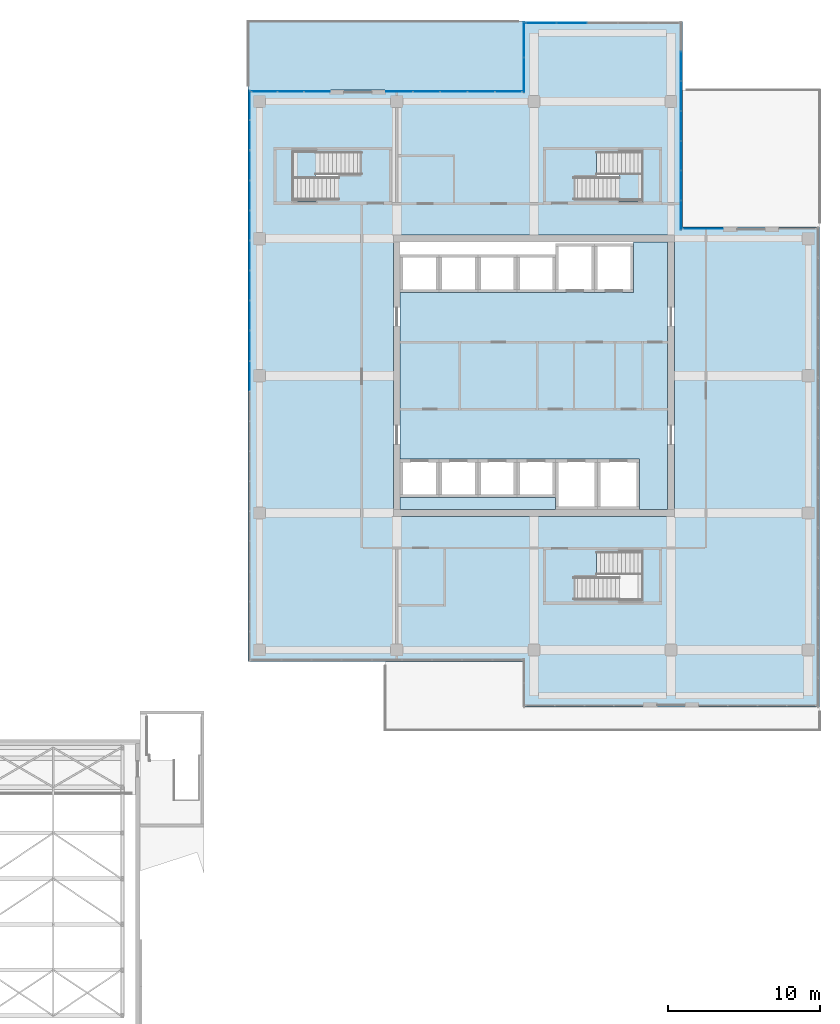
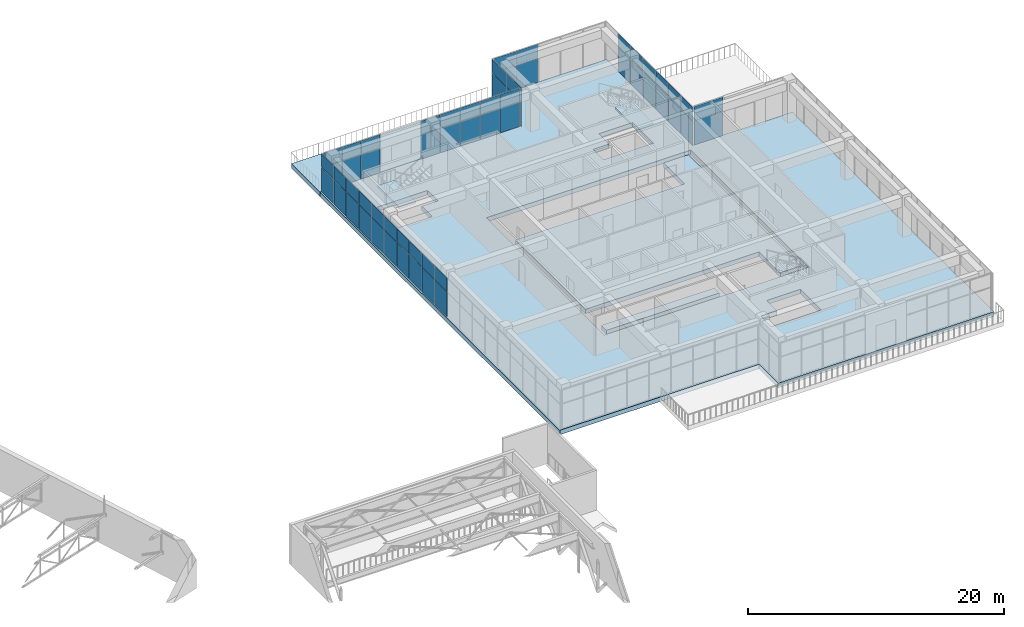
# One storey, part 64 of 81: 58 plates, 6 slabs, 9 elements without a shape of their own.
"""IFC4 building model written with IfcOpenShell, lengths in metres."""

from ifc_helpers import new_model, si_unit, direction, frame, origin, origin_2d, place, context, subcontext, project, spatial, polyline, rectangle, outline, extrude, material, layer, layer_set, type_object, element, aggregate, save


model = new_model("IFC4")

# Units and contexts
model_context = context("Model", 3, precision=1e-05, world=origin(), true_north=direction((0.0, 1.0)))
body_context = subcontext(model_context, "Body", "Model", "MODEL_VIEW")
ifc_project = project(units=[si_unit("LENGTHUNIT", "METRE"), si_unit("AREAUNIT", "SQUARE_METRE"), si_unit("VOLUMEUNIT", "CUBIC_METRE"), si_unit("PLANEANGLEUNIT", "RADIAN"), si_unit("MASSUNIT", "GRAM", prefix="KILO")], contexts=[model_context])

# Site, building, storey
site_placement = place(None, origin())
site = spatial("IfcSite", under=ifc_project, at=site_placement, CompositionType="ELEMENT")
building_placement = place(site_placement, origin())
building = spatial("IfcBuilding", under=site, at=building_placement, Name="Tuart Plaza Theatre", CompositionType="ELEMENT")
storey_placement = place(building_placement, frame((0.0, 0.0, 17.5)))
storey = spatial("IfcBuildingStorey", under=building, at=storey_placement, Name="L04", CompositionType="ELEMENT", Elevation=17.5)

# Curtain wall, plates
ifc_material_1 = material(Name="Aluminium and glass", Category="aluminium")
ifc_layer_1 = layer(ifc_material_1, 0.10009765625)
ifc_layer_set_1 = layer_set([ifc_layer_1], Name="CURTAIN WALL 2000 module")
curtain_wall_type_1 = type_object("IfcCurtainWallType", Name="CURTAIN WALL 2000 module", PredefinedType="NOTDEFINED", material=ifc_layer_set_1)
curtain_wall_1_placement = place(storey_placement, origin())
curtain_wall_1 = element("IfcCurtainWall", 1, at=curtain_wall_1_placement, inside=storey, type_object=curtain_wall_type_1, Name="CW80", PredefinedType="NOTDEFINED")
ifc_material_2 = material(Name="Glass", Category="glass")
ifc_layer_2 = layer(ifc_material_2, 0.028076171875)
ifc_layer_set_2 = layer_set([ifc_layer_2], Name="CURTAIN PANEL double glazed 28")
plate_type = type_object("IfcPlateType", Name="CURTAIN PANEL double glazed 28", PredefinedType="CURTAIN_PANEL", material=ifc_layer_set_2)
plate_1_placement = place(storey_placement, frame((143.10009765625, 83.64990234375, 0.0498046875), z_axis=(0.0, 0.0, 1.0), x_axis=(-1.0, 0.0, 0.0)))
plate_1 = element("IfcPlate", 2, at=plate_1_placement, type_object=plate_type, Name="CW80 panel 1.1", PredefinedType="CURTAIN_PANEL", context=body_context, shape_type="SweptSolid", body=[
    extrude(rectangle(XDim=2.60009765625, YDim=0.028076171875, at=origin_2d()), origin(), (0.0, 0.0, 1.0), 2.324951171875),
])
plate_2_placement = place(storey_placement, frame((143.10009765625, 83.64990234375, 2.425048828125), z_axis=(0.0, 0.0, 1.0), x_axis=(-1.0, 0.0, 0.0)))
plate_2 = element("IfcPlate", 3, at=plate_2_placement, type_object=plate_type, Name="CW80 panel 1.2", PredefinedType="CURTAIN_PANEL", context=body_context, shape_type="SweptSolid", body=[
    extrude(rectangle(XDim=2.60009765625, YDim=0.028076171875, at=origin_2d()), origin(), (0.0, 0.0, 1.0), 1.27490234375),
])
aggregate(curtain_wall_1, [plate_1, plate_2])

curtain_wall_2_placement = place(storey_placement, origin())
curtain_wall_2 = element("IfcCurtainWall", 4, at=curtain_wall_2_placement, inside=storey, type_object=curtain_wall_type_1, Name="CW81", PredefinedType="NOTDEFINED")
plate_3_placement = place(storey_placement, frame((141.64990234375, 84.541015625, 0.0498046875), z_axis=(0.0, 0.0, 1.0), x_axis=(0.0, 1.0, 0.0)))
plate_3 = element("IfcPlate", 5, at=plate_3_placement, type_object=plate_type, Name="CW81 panel 1.1", PredefinedType="CURTAIN_PANEL", context=body_context, shape_type="SweptSolid", body=[
    extrude(rectangle(XDim=1.882080078125, YDim=0.028076171875, at=origin_2d()), origin(), (0.0, 0.0, 1.0), 2.324951171875),
])
plate_4_placement = place(storey_placement, frame((141.64990234375, 84.541015625, 2.425048828125), z_axis=(0.0, 0.0, 1.0), x_axis=(0.0, 1.0, 0.0)))
plate_4 = element("IfcPlate", 6, at=plate_4_placement, type_object=plate_type, Name="CW81 panel 1.2", PredefinedType="CURTAIN_PANEL", context=body_context, shape_type="SweptSolid", body=[
    extrude(rectangle(XDim=1.882080078125, YDim=0.028076171875, at=origin_2d()), origin(), (0.0, 0.0, 1.0), 1.27490234375),
])
plate_5_placement = place(storey_placement, frame((141.64990234375, 86.485595703125, 0.0498046875), z_axis=(0.0, 0.0, 1.0), x_axis=(0.0, 1.0, 0.0)))
plate_5 = element("IfcPlate", 7, at=plate_5_placement, type_object=plate_type, Name="CW81 panel 2.1", PredefinedType="CURTAIN_PANEL", context=body_context, shape_type="SweptSolid", body=[
    extrude(rectangle(XDim=1.9072265625, YDim=0.028076171875, at=origin_2d()), origin(), (0.0, 0.0, 1.0), 2.324951171875),
])
plate_6_placement = place(storey_placement, frame((141.64990234375, 86.485595703125, 2.425048828125), z_axis=(0.0, 0.0, 1.0), x_axis=(0.0, 1.0, 0.0)))
plate_6 = element("IfcPlate", 8, at=plate_6_placement, type_object=plate_type, Name="CW81 panel 2.2", PredefinedType="CURTAIN_PANEL", context=body_context, shape_type="SweptSolid", body=[
    extrude(rectangle(XDim=1.9072265625, YDim=0.028076171875, at=origin_2d()), origin(), (0.0, 0.0, 1.0), 1.27490234375),
])
plate_7_placement = place(storey_placement, frame((141.64990234375, 88.44287109375, 0.0498046875), z_axis=(0.0, 0.0, 1.0), x_axis=(0.0, 1.0, 0.0)))
plate_7 = element("IfcPlate", 9, at=plate_7_placement, type_object=plate_type, Name="CW81 panel 3.1", PredefinedType="CURTAIN_PANEL", context=body_context, shape_type="SweptSolid", body=[
    extrude(rectangle(XDim=1.9072265625, YDim=0.028076171875, at=origin_2d()), origin(), (0.0, 0.0, 1.0), 2.324951171875),
])
plate_8_placement = place(storey_placement, frame((141.64990234375, 88.44287109375, 2.425048828125), z_axis=(0.0, 0.0, 1.0), x_axis=(0.0, 1.0, 0.0)))
plate_8 = element("IfcPlate", 10, at=plate_8_placement, type_object=plate_type, Name="CW81 panel 3.2", PredefinedType="CURTAIN_PANEL", context=body_context, shape_type="SweptSolid", body=[
    extrude(rectangle(XDim=1.9072265625, YDim=0.028076171875, at=origin_2d()), origin(), (0.0, 0.0, 1.0), 1.27490234375),
])
plate_9_placement = place(storey_placement, frame((141.64990234375, 90.39990234375, 0.0498046875), z_axis=(0.0, 0.0, 1.0), x_axis=(0.0, 1.0, 0.0)))
plate_9 = element("IfcPlate", 11, at=plate_9_placement, type_object=plate_type, Name="CW81 panel 4.1", PredefinedType="CURTAIN_PANEL", context=body_context, shape_type="SweptSolid", body=[
    extrude(rectangle(XDim=1.9072265625, YDim=0.028076171875, at=origin_2d()), origin(), (0.0, 0.0, 1.0), 2.324951171875),
])
plate_10_placement = place(storey_placement, frame((141.64990234375, 90.39990234375, 2.425048828125), z_axis=(0.0, 0.0, 1.0), x_axis=(0.0, 1.0, 0.0)))
plate_10 = element("IfcPlate", 12, at=plate_10_placement, type_object=plate_type, Name="CW81 panel 4.2", PredefinedType="CURTAIN_PANEL", context=body_context, shape_type="SweptSolid", body=[
    extrude(rectangle(XDim=1.9072265625, YDim=0.028076171875, at=origin_2d()), origin(), (0.0, 0.0, 1.0), 1.27490234375),
])
plate_11_placement = place(storey_placement, frame((141.64990234375, 92.357177734375, 0.0498046875), z_axis=(0.0, 0.0, 1.0), x_axis=(0.0, 1.0, 0.0)))
plate_11 = element("IfcPlate", 13, at=plate_11_placement, type_object=plate_type, Name="CW81 panel 5.1", PredefinedType="CURTAIN_PANEL", context=body_context, shape_type="SweptSolid", body=[
    extrude(rectangle(XDim=1.9072265625, YDim=0.028076171875, at=origin_2d()), origin(), (0.0, 0.0, 1.0), 2.324951171875),
])
plate_12_placement = place(storey_placement, frame((141.64990234375, 92.357177734375, 2.425048828125), z_axis=(0.0, 0.0, 1.0), x_axis=(0.0, 1.0, 0.0)))
plate_12 = element("IfcPlate", 14, at=plate_12_placement, type_object=plate_type, Name="CW81 panel 5.2", PredefinedType="CURTAIN_PANEL", context=body_context, shape_type="SweptSolid", body=[
    extrude(rectangle(XDim=1.9072265625, YDim=0.028076171875, at=origin_2d()), origin(), (0.0, 0.0, 1.0), 1.27490234375),
])
plate_13_placement = place(storey_placement, frame((141.64990234375, 94.314208984375, 0.0498046875), z_axis=(0.0, 0.0, 1.0), x_axis=(0.0, 1.0, 0.0)))
plate_13 = element("IfcPlate", 15, at=plate_13_placement, type_object=plate_type, Name="CW81 panel 6.1", PredefinedType="CURTAIN_PANEL", context=body_context, shape_type="SweptSolid", body=[
    extrude(rectangle(XDim=1.9072265625, YDim=0.028076171875, at=origin_2d()), origin(), (0.0, 0.0, 1.0), 2.324951171875),
])
plate_14_placement = place(storey_placement, frame((141.64990234375, 94.314208984375, 2.425048828125), z_axis=(0.0, 0.0, 1.0), x_axis=(0.0, 1.0, 0.0)))
plate_14 = element("IfcPlate", 16, at=plate_14_placement, type_object=plate_type, Name="CW81 panel 6.2", PredefinedType="CURTAIN_PANEL", context=body_context, shape_type="SweptSolid", body=[
    extrude(rectangle(XDim=1.9072265625, YDim=0.028076171875, at=origin_2d()), origin(), (0.0, 0.0, 1.0), 1.27490234375),
])
aggregate(curtain_wall_2, [plate_3, plate_4, plate_5, plate_6, plate_7, plate_8, plate_9, plate_10, plate_11, plate_12, plate_13, plate_14])

curtain_wall_3_placement = place(storey_placement, origin())
curtain_wall_3 = element("IfcCurtainWall", 17, at=curtain_wall_3_placement, inside=storey, type_object=curtain_wall_type_1, Name="CW82", PredefinedType="NOTDEFINED")
plate_15_placement = place(storey_placement, frame((134.47998046875, 97.14990234375, 0.0498046875), z_axis=(0.0, 0.0, 1.0), x_axis=(-1.0, 0.0, 0.0)))
plate_15 = element("IfcPlate", 18, at=plate_15_placement, type_object=plate_type, Name="CW82 panel 4.1", PredefinedType="CURTAIN_PANEL", context=body_context, shape_type="SweptSolid", body=[
    extrude(rectangle(XDim=1.969970703125, YDim=0.028076171875, at=origin_2d()), origin(), (0.0, 0.0, 1.0), 2.324951171875),
])
plate_16_placement = place(storey_placement, frame((134.47998046875, 97.14990234375, 2.425048828125), z_axis=(0.0, 0.0, 1.0), x_axis=(-1.0, 0.0, 0.0)))
plate_16 = element("IfcPlate", 19, at=plate_16_placement, type_object=plate_type, Name="CW82 panel 4.2", PredefinedType="CURTAIN_PANEL", context=body_context, shape_type="SweptSolid", body=[
    extrude(rectangle(XDim=1.969970703125, YDim=0.028076171875, at=origin_2d()), origin(), (0.0, 0.0, 1.0), 1.27490234375),
])
plate_17_placement = place(storey_placement, frame((132.472412109375, 97.14990234375, 0.0498046875), z_axis=(0.0, 0.0, 1.0), x_axis=(-1.0, 0.0, 0.0)))
plate_17 = element("IfcPlate", 20, at=plate_17_placement, type_object=plate_type, Name="CW82 panel 5.1", PredefinedType="CURTAIN_PANEL", context=body_context, shape_type="SweptSolid", body=[
    extrude(rectangle(XDim=1.945068359375, YDim=0.028076171875, at=origin_2d()), origin(), (0.0, 0.0, 1.0), 2.324951171875),
])
plate_18_placement = place(storey_placement, frame((132.472412109375, 97.14990234375, 2.425048828125), z_axis=(0.0, 0.0, 1.0), x_axis=(-1.0, 0.0, 0.0)))
plate_18 = element("IfcPlate", 21, at=plate_18_placement, type_object=plate_type, Name="CW82 panel 5.2", PredefinedType="CURTAIN_PANEL", context=body_context, shape_type="SweptSolid", body=[
    extrude(rectangle(XDim=1.945068359375, YDim=0.028076171875, at=origin_2d()), origin(), (0.0, 0.0, 1.0), 1.27490234375),
])
aggregate(curtain_wall_3, [plate_15, plate_16, plate_17, plate_18])

curtain_wall_4_placement = place(storey_placement, origin())
curtain_wall_4 = element("IfcCurtainWall", 22, at=curtain_wall_4_placement, inside=storey, type_object=curtain_wall_type_1, Name="CW83", PredefinedType="NOTDEFINED")
plate_19_placement = place(storey_placement, frame((131.35009765625, 96.0625, 0.0498046875), z_axis=(0.0, 0.0, 1.0), x_axis=(0.0, -1.0, 0.0)))
plate_19 = element("IfcPlate", 23, at=plate_19_placement, type_object=plate_type, Name="CW83 panel 1.1", PredefinedType="CURTAIN_PANEL", context=body_context, shape_type="SweptSolid", body=[
    extrude(rectangle(XDim=2.27490234375, YDim=0.028076171875, at=origin_2d()), origin(), (0.0, 0.0, 1.0), 2.324951171875),
])
plate_20_placement = place(storey_placement, frame((131.35009765625, 96.0625, 2.425048828125), z_axis=(0.0, 0.0, 1.0), x_axis=(0.0, -1.0, 0.0)))
plate_20 = element("IfcPlate", 24, at=plate_20_placement, type_object=plate_type, Name="CW83 panel 1.2", PredefinedType="CURTAIN_PANEL", context=body_context, shape_type="SweptSolid", body=[
    extrude(rectangle(XDim=2.27490234375, YDim=0.028076171875, at=origin_2d()), origin(), (0.0, 0.0, 1.0), 1.27490234375),
])
plate_21_placement = place(storey_placement, frame((131.35009765625, 93.737548828125, 0.0498046875), z_axis=(0.0, 0.0, 1.0), x_axis=(0.0, -1.0, 0.0)))
plate_21 = element("IfcPlate", 25, at=plate_21_placement, type_object=plate_type, Name="CW83 panel 2.1", PredefinedType="CURTAIN_PANEL", context=body_context, shape_type="SweptSolid", body=[
    extrude(rectangle(XDim=2.27490234375, YDim=0.028076171875, at=origin_2d()), origin(), (0.0, 0.0, 1.0), 2.324951171875),
])
plate_22_placement = place(storey_placement, frame((131.35009765625, 93.737548828125, 2.425048828125), z_axis=(0.0, 0.0, 1.0), x_axis=(0.0, -1.0, 0.0)))
plate_22 = element("IfcPlate", 26, at=plate_22_placement, type_object=plate_type, Name="CW83 panel 2.2", PredefinedType="CURTAIN_PANEL", context=body_context, shape_type="SweptSolid", body=[
    extrude(rectangle(XDim=2.27490234375, YDim=0.028076171875, at=origin_2d()), origin(), (0.0, 0.0, 1.0), 1.27490234375),
])
aggregate(curtain_wall_4, [plate_19, plate_20, plate_21, plate_22])

ifc_material_3 = material(Name="Aluminium and glass", Category="aluminium")
ifc_layer_3 = layer(ifc_material_3, 0.10009765625)
ifc_layer_set_3 = layer_set([ifc_layer_3], Name="CURTAIN WALL 1800 module")
curtain_wall_type_2 = type_object("IfcCurtainWallType", Name="CURTAIN WALL 1800 module", PredefinedType="NOTDEFINED", material=ifc_layer_set_3)
curtain_wall_5_placement = place(storey_placement, origin())
curtain_wall_5 = element("IfcCurtainWall", 27, at=curtain_wall_5_placement, inside=storey, type_object=curtain_wall_type_2, Name="CW84", PredefinedType="NOTDEFINED")
plate_23_placement = place(storey_placement, frame((130.33740234375, 92.64990234375, 0.0498046875), z_axis=(0.0, 0.0, 1.0), x_axis=(-1.0, 0.0, 0.0)))
plate_23 = element("IfcPlate", 28, at=plate_23_placement, type_object=plate_type, Name="CW84 panel 1.1", PredefinedType="CURTAIN_PANEL", context=body_context, shape_type="SweptSolid", body=[
    extrude(rectangle(XDim=1.72509765625, YDim=0.028076171875, at=origin_2d()), origin(), (0.0, 0.0, 1.0), 2.324951171875),
])
plate_24_placement = place(storey_placement, frame((130.33740234375, 92.64990234375, 2.425048828125), z_axis=(0.0, 0.0, 1.0), x_axis=(-1.0, 0.0, 0.0)))
plate_24 = element("IfcPlate", 29, at=plate_24_placement, type_object=plate_type, Name="CW84 panel 1.2", PredefinedType="CURTAIN_PANEL", context=body_context, shape_type="SweptSolid", body=[
    extrude(rectangle(XDim=1.72509765625, YDim=0.028076171875, at=origin_2d()), origin(), (0.0, 0.0, 1.0), 1.27490234375),
])
plate_25_placement = place(storey_placement, frame((128.550048828125, 92.64990234375, 0.0498046875), z_axis=(0.0, 0.0, 1.0), x_axis=(-1.0, 0.0, 0.0)))
plate_25 = element("IfcPlate", 30, at=plate_25_placement, type_object=plate_type, Name="CW84 panel 2.1", PredefinedType="CURTAIN_PANEL", context=body_context, shape_type="SweptSolid", body=[
    extrude(rectangle(XDim=1.75, YDim=0.028076171875, at=origin_2d()), origin(), (0.0, 0.0, 1.0), 2.324951171875),
])
plate_26_placement = place(storey_placement, frame((128.550048828125, 92.64990234375, 2.425048828125), z_axis=(0.0, 0.0, 1.0), x_axis=(-1.0, 0.0, 0.0)))
plate_26 = element("IfcPlate", 31, at=plate_26_placement, type_object=plate_type, Name="CW84 panel 2.2", PredefinedType="CURTAIN_PANEL", context=body_context, shape_type="SweptSolid", body=[
    extrude(rectangle(XDim=1.75, YDim=0.028076171875, at=origin_2d()), origin(), (0.0, 0.0, 1.0), 1.27490234375),
])
plate_27_placement = place(storey_placement, frame((126.75, 92.64990234375, 0.0498046875), z_axis=(0.0, 0.0, 1.0), x_axis=(-1.0, 0.0, 0.0)))
plate_27 = element("IfcPlate", 32, at=plate_27_placement, type_object=plate_type, Name="CW84 panel 3.1", PredefinedType="CURTAIN_PANEL", context=body_context, shape_type="SweptSolid", body=[
    extrude(rectangle(XDim=1.75, YDim=0.028076171875, at=origin_2d()), origin(), (0.0, 0.0, 1.0), 2.324951171875),
])
plate_28_placement = place(storey_placement, frame((126.75, 92.64990234375, 2.425048828125), z_axis=(0.0, 0.0, 1.0), x_axis=(-1.0, 0.0, 0.0)))
plate_28 = element("IfcPlate", 33, at=plate_28_placement, type_object=plate_type, Name="CW84 panel 3.2", PredefinedType="CURTAIN_PANEL", context=body_context, shape_type="SweptSolid", body=[
    extrude(rectangle(XDim=1.75, YDim=0.028076171875, at=origin_2d()), origin(), (0.0, 0.0, 1.0), 1.27490234375),
])
plate_29_placement = place(storey_placement, frame((124.949951171875, 92.64990234375, 0.0498046875), z_axis=(0.0, 0.0, 1.0), x_axis=(-1.0, 0.0, 0.0)))
plate_29 = element("IfcPlate", 34, at=plate_29_placement, type_object=plate_type, Name="CW84 panel 4.1", PredefinedType="CURTAIN_PANEL", context=body_context, shape_type="SweptSolid", body=[
    extrude(rectangle(XDim=1.75, YDim=0.028076171875, at=origin_2d()), origin(), (0.0, 0.0, 1.0), 2.324951171875),
])
plate_30_placement = place(storey_placement, frame((124.949951171875, 92.64990234375, 2.425048828125), z_axis=(0.0, 0.0, 1.0), x_axis=(-1.0, 0.0, 0.0)))
plate_30 = element("IfcPlate", 35, at=plate_30_placement, type_object=plate_type, Name="CW84 panel 4.2", PredefinedType="CURTAIN_PANEL", context=body_context, shape_type="SweptSolid", body=[
    extrude(rectangle(XDim=1.75, YDim=0.028076171875, at=origin_2d()), origin(), (0.0, 0.0, 1.0), 1.27490234375),
])
plate_31_placement = place(storey_placement, frame((123.16259765625, 92.64990234375, 0.0498046875), z_axis=(0.0, 0.0, 1.0), x_axis=(-1.0, 0.0, 0.0)))
plate_31 = element("IfcPlate", 36, at=plate_31_placement, type_object=plate_type, Name="CW84 panel 5.1", PredefinedType="CURTAIN_PANEL", context=body_context, shape_type="SweptSolid", body=[
    extrude(rectangle(XDim=1.72509765625, YDim=0.028076171875, at=origin_2d()), origin(), (0.0, 0.0, 1.0), 2.324951171875),
])
plate_32_placement = place(storey_placement, frame((123.16259765625, 92.64990234375, 2.425048828125), z_axis=(0.0, 0.0, 1.0), x_axis=(-1.0, 0.0, 0.0)))
plate_32 = element("IfcPlate", 37, at=plate_32_placement, type_object=plate_type, Name="CW84 panel 5.2", PredefinedType="CURTAIN_PANEL", context=body_context, shape_type="SweptSolid", body=[
    extrude(rectangle(XDim=1.72509765625, YDim=0.028076171875, at=origin_2d()), origin(), (0.0, 0.0, 1.0), 1.27490234375),
])
aggregate(curtain_wall_5, [plate_23, plate_24, plate_25, plate_26, plate_27, plate_28, plate_29, plate_30, plate_31, plate_32])

curtain_wall_6_placement = place(storey_placement, origin())
curtain_wall_6 = element("IfcCurtainWall", 38, at=curtain_wall_6_placement, inside=storey, type_object=curtain_wall_type_1, Name="CW85", PredefinedType="NOTDEFINED")
plate_33_placement = place(storey_placement, frame((117.770751953125, 92.64990234375, 0.0498046875), z_axis=(0.0, 0.0, 1.0), x_axis=(-1.0, 0.0, 0.0)))
plate_33 = element("IfcPlate", 39, at=plate_33_placement, type_object=plate_type, Name="CW85 panel 1.1", PredefinedType="CURTAIN_PANEL", context=body_context, shape_type="SweptSolid", body=[
    extrude(rectangle(XDim=1.658447265625, YDim=0.028076171875, at=origin_2d()), origin(), (0.0, 0.0, 1.0), 2.324951171875),
])
plate_34_placement = place(storey_placement, frame((117.770751953125, 92.64990234375, 2.425048828125), z_axis=(0.0, 0.0, 1.0), x_axis=(-1.0, 0.0, 0.0)))
plate_34 = element("IfcPlate", 40, at=plate_34_placement, type_object=plate_type, Name="CW85 panel 1.2", PredefinedType="CURTAIN_PANEL", context=body_context, shape_type="SweptSolid", body=[
    extrude(rectangle(XDim=1.658447265625, YDim=0.028076171875, at=origin_2d()), origin(), (0.0, 0.0, 1.0), 1.27490234375),
])
plate_35_placement = place(storey_placement, frame((116.050048828125, 92.64990234375, 0.0498046875), z_axis=(0.0, 0.0, 1.0), x_axis=(-1.0, 0.0, 0.0)))
plate_35 = element("IfcPlate", 41, at=plate_35_placement, type_object=plate_type, Name="CW85 panel 2.1", PredefinedType="CURTAIN_PANEL", context=body_context, shape_type="SweptSolid", body=[
    extrude(rectangle(XDim=1.683349609375, YDim=0.028076171875, at=origin_2d()), origin(), (0.0, 0.0, 1.0), 2.324951171875),
])
plate_36_placement = place(storey_placement, frame((116.050048828125, 92.64990234375, 2.425048828125), z_axis=(0.0, 0.0, 1.0), x_axis=(-1.0, 0.0, 0.0)))
plate_36 = element("IfcPlate", 42, at=plate_36_placement, type_object=plate_type, Name="CW85 panel 2.2", PredefinedType="CURTAIN_PANEL", context=body_context, shape_type="SweptSolid", body=[
    extrude(rectangle(XDim=1.683349609375, YDim=0.028076171875, at=origin_2d()), origin(), (0.0, 0.0, 1.0), 1.27490234375),
])
plate_37_placement = place(storey_placement, frame((114.3291015625, 92.64990234375, 0.0498046875), z_axis=(0.0, 0.0, 1.0), x_axis=(-1.0, 0.0, 0.0)))
plate_37 = element("IfcPlate", 43, at=plate_37_placement, type_object=plate_type, Name="CW85 panel 3.1", PredefinedType="CURTAIN_PANEL", context=body_context, shape_type="SweptSolid", body=[
    extrude(rectangle(XDim=1.658447265625, YDim=0.028076171875, at=origin_2d()), origin(), (0.0, 0.0, 1.0), 2.324951171875),
])
plate_38_placement = place(storey_placement, frame((114.3291015625, 92.64990234375, 2.425048828125), z_axis=(0.0, 0.0, 1.0), x_axis=(-1.0, 0.0, 0.0)))
plate_38 = element("IfcPlate", 44, at=plate_38_placement, type_object=plate_type, Name="CW85 panel 3.2", PredefinedType="CURTAIN_PANEL", context=body_context, shape_type="SweptSolid", body=[
    extrude(rectangle(XDim=1.658447265625, YDim=0.028076171875, at=origin_2d()), origin(), (0.0, 0.0, 1.0), 1.27490234375),
])
aggregate(curtain_wall_6, [plate_33, plate_34, plate_35, plate_36, plate_37, plate_38])

curtain_wall_7_placement = place(storey_placement, origin())
curtain_wall_7 = element("IfcCurtainWall", 45, at=curtain_wall_7_placement, inside=storey, type_object=curtain_wall_type_1, Name="CW86", PredefinedType="NOTDEFINED")
plate_39_placement = place(storey_placement, frame((113.35009765625, 91.750732421875, 0.0498046875), z_axis=(0.0, 0.0, 1.0), x_axis=(0.0, -1.0, 0.0)))
plate_39 = element("IfcPlate", 46, at=plate_39_placement, type_object=plate_type, Name="CW86 panel 1.1", PredefinedType="CURTAIN_PANEL", context=body_context, shape_type="SweptSolid", body=[
    extrude(rectangle(XDim=1.898681640625, YDim=0.028076171875, at=origin_2d()), origin(), (0.0, 0.0, 1.0), 2.324951171875),
])
plate_40_placement = place(storey_placement, frame((113.35009765625, 91.750732421875, 2.425048828125), z_axis=(0.0, 0.0, 1.0), x_axis=(0.0, -1.0, 0.0)))
plate_40 = element("IfcPlate", 47, at=plate_40_placement, type_object=plate_type, Name="CW86 panel 1.2", PredefinedType="CURTAIN_PANEL", context=body_context, shape_type="SweptSolid", body=[
    extrude(rectangle(XDim=1.898681640625, YDim=0.028076171875, at=origin_2d()), origin(), (0.0, 0.0, 1.0), 1.27490234375),
])
plate_41_placement = place(storey_placement, frame((113.35009765625, 89.78955078125, 0.0498046875), z_axis=(0.0, 0.0, 1.0), x_axis=(0.0, -1.0, 0.0)))
plate_41 = element("IfcPlate", 48, at=plate_41_placement, type_object=plate_type, Name="CW86 panel 2.1", PredefinedType="CURTAIN_PANEL", context=body_context, shape_type="SweptSolid", body=[
    extrude(rectangle(XDim=1.923583984375, YDim=0.028076171875, at=origin_2d()), origin(), (0.0, 0.0, 1.0), 2.324951171875),
])
plate_42_placement = place(storey_placement, frame((113.35009765625, 89.78955078125, 2.425048828125), z_axis=(0.0, 0.0, 1.0), x_axis=(0.0, -1.0, 0.0)))
plate_42 = element("IfcPlate", 49, at=plate_42_placement, type_object=plate_type, Name="CW86 panel 2.2", PredefinedType="CURTAIN_PANEL", context=body_context, shape_type="SweptSolid", body=[
    extrude(rectangle(XDim=1.923583984375, YDim=0.028076171875, at=origin_2d()), origin(), (0.0, 0.0, 1.0), 1.27490234375),
])
plate_43_placement = place(storey_placement, frame((113.35009765625, 87.815673828125, 0.0498046875), z_axis=(0.0, 0.0, 1.0), x_axis=(0.0, -1.0, 0.0)))
plate_43 = element("IfcPlate", 50, at=plate_43_placement, type_object=plate_type, Name="CW86 panel 3.1", PredefinedType="CURTAIN_PANEL", context=body_context, shape_type="SweptSolid", body=[
    extrude(rectangle(XDim=1.923583984375, YDim=0.028076171875, at=origin_2d()), origin(), (0.0, 0.0, 1.0), 2.324951171875),
])
plate_44_placement = place(storey_placement, frame((113.35009765625, 87.815673828125, 2.425048828125), z_axis=(0.0, 0.0, 1.0), x_axis=(0.0, -1.0, 0.0)))
plate_44 = element("IfcPlate", 51, at=plate_44_placement, type_object=plate_type, Name="CW86 panel 3.2", PredefinedType="CURTAIN_PANEL", context=body_context, shape_type="SweptSolid", body=[
    extrude(rectangle(XDim=1.923583984375, YDim=0.028076171875, at=origin_2d()), origin(), (0.0, 0.0, 1.0), 1.27490234375),
])
plate_45_placement = place(storey_placement, frame((113.35009765625, 85.842041015625, 0.0498046875), z_axis=(0.0, 0.0, 1.0), x_axis=(0.0, -1.0, 0.0)))
plate_45 = element("IfcPlate", 52, at=plate_45_placement, type_object=plate_type, Name="CW86 panel 4.1", PredefinedType="CURTAIN_PANEL", context=body_context, shape_type="SweptSolid", body=[
    extrude(rectangle(XDim=1.923583984375, YDim=0.028076171875, at=origin_2d()), origin(), (0.0, 0.0, 1.0), 2.324951171875),
])
plate_46_placement = place(storey_placement, frame((113.35009765625, 85.842041015625, 2.425048828125), z_axis=(0.0, 0.0, 1.0), x_axis=(0.0, -1.0, 0.0)))
plate_46 = element("IfcPlate", 53, at=plate_46_placement, type_object=plate_type, Name="CW86 panel 4.2", PredefinedType="CURTAIN_PANEL", context=body_context, shape_type="SweptSolid", body=[
    extrude(rectangle(XDim=1.923583984375, YDim=0.028076171875, at=origin_2d()), origin(), (0.0, 0.0, 1.0), 1.27490234375),
])
plate_47_placement = place(storey_placement, frame((113.35009765625, 83.868408203125, 0.0498046875), z_axis=(0.0, 0.0, 1.0), x_axis=(0.0, -1.0, 0.0)))
plate_47 = element("IfcPlate", 54, at=plate_47_placement, type_object=plate_type, Name="CW86 panel 5.1", PredefinedType="CURTAIN_PANEL", context=body_context, shape_type="SweptSolid", body=[
    extrude(rectangle(XDim=1.923583984375, YDim=0.028076171875, at=origin_2d()), origin(), (0.0, 0.0, 1.0), 2.324951171875),
])
plate_48_placement = place(storey_placement, frame((113.35009765625, 83.868408203125, 2.425048828125), z_axis=(0.0, 0.0, 1.0), x_axis=(0.0, -1.0, 0.0)))
plate_48 = element("IfcPlate", 55, at=plate_48_placement, type_object=plate_type, Name="CW86 panel 5.2", PredefinedType="CURTAIN_PANEL", context=body_context, shape_type="SweptSolid", body=[
    extrude(rectangle(XDim=1.923583984375, YDim=0.028076171875, at=origin_2d()), origin(), (0.0, 0.0, 1.0), 1.27490234375),
])
plate_49_placement = place(storey_placement, frame((113.35009765625, 81.894775390625, 0.0498046875), z_axis=(0.0, 0.0, 1.0), x_axis=(0.0, -1.0, 0.0)))
plate_49 = element("IfcPlate", 56, at=plate_49_placement, type_object=plate_type, Name="CW86 panel 6.1", PredefinedType="CURTAIN_PANEL", context=body_context, shape_type="SweptSolid", body=[
    extrude(rectangle(XDim=1.923583984375, YDim=0.028076171875, at=origin_2d()), origin(), (0.0, 0.0, 1.0), 2.324951171875),
])
plate_50_placement = place(storey_placement, frame((113.35009765625, 81.894775390625, 2.425048828125), z_axis=(0.0, 0.0, 1.0), x_axis=(0.0, -1.0, 0.0)))
plate_50 = element("IfcPlate", 57, at=plate_50_placement, type_object=plate_type, Name="CW86 panel 6.2", PredefinedType="CURTAIN_PANEL", context=body_context, shape_type="SweptSolid", body=[
    extrude(rectangle(XDim=1.923583984375, YDim=0.028076171875, at=origin_2d()), origin(), (0.0, 0.0, 1.0), 1.27490234375),
])
plate_51_placement = place(storey_placement, frame((113.35009765625, 79.921142578125, 0.0498046875), z_axis=(0.0, 0.0, 1.0), x_axis=(0.0, -1.0, 0.0)))
plate_51 = element("IfcPlate", 58, at=plate_51_placement, type_object=plate_type, Name="CW86 panel 7.1", PredefinedType="CURTAIN_PANEL", context=body_context, shape_type="SweptSolid", body=[
    extrude(rectangle(XDim=1.923583984375, YDim=0.028076171875, at=origin_2d()), origin(), (0.0, 0.0, 1.0), 2.324951171875),
])
plate_52_placement = place(storey_placement, frame((113.35009765625, 79.921142578125, 2.425048828125), z_axis=(0.0, 0.0, 1.0), x_axis=(0.0, -1.0, 0.0)))
plate_52 = element("IfcPlate", 59, at=plate_52_placement, type_object=plate_type, Name="CW86 panel 7.2", PredefinedType="CURTAIN_PANEL", context=body_context, shape_type="SweptSolid", body=[
    extrude(rectangle(XDim=1.923583984375, YDim=0.028076171875, at=origin_2d()), origin(), (0.0, 0.0, 1.0), 1.27490234375),
])
plate_53_placement = place(storey_placement, frame((113.35009765625, 77.947265625, 0.0498046875), z_axis=(0.0, 0.0, 1.0), x_axis=(0.0, -1.0, 0.0)))
plate_53 = element("IfcPlate", 60, at=plate_53_placement, type_object=plate_type, Name="CW86 panel 8.1", PredefinedType="CURTAIN_PANEL", context=body_context, shape_type="SweptSolid", body=[
    extrude(rectangle(XDim=1.923583984375, YDim=0.028076171875, at=origin_2d()), origin(), (0.0, 0.0, 1.0), 2.324951171875),
])
plate_54_placement = place(storey_placement, frame((113.35009765625, 77.947265625, 2.425048828125), z_axis=(0.0, 0.0, 1.0), x_axis=(0.0, -1.0, 0.0)))
plate_54 = element("IfcPlate", 61, at=plate_54_placement, type_object=plate_type, Name="CW86 panel 8.2", PredefinedType="CURTAIN_PANEL", context=body_context, shape_type="SweptSolid", body=[
    extrude(rectangle(XDim=1.923583984375, YDim=0.028076171875, at=origin_2d()), origin(), (0.0, 0.0, 1.0), 1.27490234375),
])
plate_55_placement = place(storey_placement, frame((113.35009765625, 75.9736328125, 0.0498046875), z_axis=(0.0, 0.0, 1.0), x_axis=(0.0, -1.0, 0.0)))
plate_55 = element("IfcPlate", 62, at=plate_55_placement, type_object=plate_type, Name="CW86 panel 9.1", PredefinedType="CURTAIN_PANEL", context=body_context, shape_type="SweptSolid", body=[
    extrude(rectangle(XDim=1.923583984375, YDim=0.028076171875, at=origin_2d()), origin(), (0.0, 0.0, 1.0), 2.324951171875),
])
plate_56_placement = place(storey_placement, frame((113.35009765625, 75.9736328125, 2.425048828125), z_axis=(0.0, 0.0, 1.0), x_axis=(0.0, -1.0, 0.0)))
plate_56 = element("IfcPlate", 63, at=plate_56_placement, type_object=plate_type, Name="CW86 panel 9.2", PredefinedType="CURTAIN_PANEL", context=body_context, shape_type="SweptSolid", body=[
    extrude(rectangle(XDim=1.923583984375, YDim=0.028076171875, at=origin_2d()), origin(), (0.0, 0.0, 1.0), 1.27490234375),
])
plate_57_placement = place(storey_placement, frame((113.35009765625, 74.0, 0.0498046875), z_axis=(0.0, 0.0, 1.0), x_axis=(0.0, -1.0, 0.0)))
plate_57 = element("IfcPlate", 64, at=plate_57_placement, type_object=plate_type, Name="CW86 panel 10.1", PredefinedType="CURTAIN_PANEL", context=body_context, shape_type="SweptSolid", body=[
    extrude(rectangle(XDim=1.923583984375, YDim=0.028076171875, at=origin_2d()), origin(), (0.0, 0.0, 1.0), 2.324951171875),
])
plate_58_placement = place(storey_placement, frame((113.35009765625, 74.0, 2.425048828125), z_axis=(0.0, 0.0, 1.0), x_axis=(0.0, -1.0, 0.0)))
plate_58 = element("IfcPlate", 65, at=plate_58_placement, type_object=plate_type, Name="CW86 panel 10.2", PredefinedType="CURTAIN_PANEL", context=body_context, shape_type="SweptSolid", body=[
    extrude(rectangle(XDim=1.923583984375, YDim=0.028076171875, at=origin_2d()), origin(), (0.0, 0.0, 1.0), 1.27490234375),
])
aggregate(curtain_wall_7, [plate_39, plate_40, plate_41, plate_42, plate_43, plate_44, plate_45, plate_46, plate_47, plate_48, plate_49, plate_50, plate_51, plate_52, plate_53, plate_54, plate_55, plate_56, plate_57, plate_58])

# Slabs
ifc_material_4 = material(Name="Concrete N40 (40 MPa)", Category="concrete")
ifc_layer_4 = layer(ifc_material_4, 0.419921875)
ifc_layer_set_4 = layer_set([ifc_layer_4], Name="SLAB Floor 420 Concrete N40 (40 MPa)")
slab_type_1 = type_object("IfcSlabType", Name="SLAB Floor 420 Concrete N40 (40 MPa)", PredefinedType="FLOOR", material=ifc_layer_set_4)
slab_1_placement = place(storey_placement, frame((0.0, 0.0, -0.419921875)))
element("IfcSlab", 66, at=slab_1_placement, inside=storey, type_object=slab_type_1, Name="S85", PredefinedType="FLOOR", context=body_context, shape_type="SweptSolid", body=[
    extrude(outline(polyline([(141.75, 97.25), (131.25, 97.25), (131.25, 92.75), (113.25, 92.75), (113.25, 55.25), (131.25, 55.25), (131.25, 52.25), (150.75, 52.25), (150.75, 83.75), (141.75, 83.75), (141.75, 97.25)]), holes=[polyline([(141.22509765625, 64.77490234375), (141.22509765625, 83.22509765625), (122.77490234375, 83.22509765625), (122.77490234375, 64.77490234375), (141.22509765625, 64.77490234375)]), polyline([(136.114990234375, 62.5), (136.114990234375, 60.875), (134.655029296875, 60.875), (134.655029296875, 59.25), (139.169921875, 59.25), (139.169921875, 62.5), (136.114990234375, 62.5)]), polyline([(139.169921875, 88.75), (136.114990234375, 88.75), (136.114990234375, 87.125), (134.655029296875, 87.125), (134.655029296875, 85.5), (139.169921875, 85.5), (139.169921875, 88.75)]), polyline([(116.1298828125, 88.75), (116.1298828125, 85.5), (119.18505859375, 85.5), (119.18505859375, 87.125), (120.64501953125, 87.125), (120.64501953125, 88.75), (116.1298828125, 88.75)])]), origin(), (0.0, 0.0, 1.0), 0.419921875),
])
slab_2_placement = place(storey_placement, frame((0.0, 0.0, -0.419921875)))
element("IfcSlab", 67, at=slab_2_placement, inside=storey, type_object=slab_type_1, Name="S86", PredefinedType="FLOOR", context=body_context, shape_type="SweptSolid", body=[
    extrude(outline(polyline([(138.925048828125, 68.52490234375), (138.925048828125, 65.22509765625), (140.77490234375, 65.22509765625), (140.77490234375, 82.77490234375), (138.52490234375, 82.77490234375), (138.52490234375, 79.47509765625), (123.22509765625, 79.47509765625), (123.22509765625, 68.52490234375), (138.925048828125, 68.52490234375)])), origin(), (0.0, 0.0, 1.0), 0.419921875),
])
slab_3_placement = place(storey_placement, frame((0.0, 0.0, -0.419921875)))
element("IfcSlab", 68, at=slab_3_placement, inside=storey, type_object=slab_type_1, Name="S87", PredefinedType="FLOOR", context=body_context, shape_type="SweptSolid", body=[
    extrude(outline(polyline([(123.22509765625, 66.02490234375), (123.22509765625, 65.22509765625), (133.425048828125, 65.22509765625), (133.425048828125, 66.02490234375), (123.22509765625, 66.02490234375)])), origin(), (0.0, 0.0, 1.0), 0.419921875),
])
slab_4_placement = place(storey_placement, frame((0.0, 0.0, -0.419921875)))
element("IfcSlab", 69, at=slab_4_placement, inside=storey, type_object=slab_type_1, Name="S88", PredefinedType="FLOOR", context=body_context, shape_type="SweptSolid", body=[
    extrude(outline(polyline([(113.25, 97.25), (113.25, 92.75), (131.25, 92.75), (131.25, 97.25), (113.25, 97.25)])), origin(), (0.0, 0.0, 1.0), 0.419921875),
])

# Stair, slab
ifc_material_5 = material(Name="Concrete N40 (40 MPa)", Category="concrete")
stair_type = type_object("IfcStairType", Name="STAIR half turn 1500", PredefinedType="HALF_TURN_STAIR", material=ifc_material_5)
stair_1_placement = place(storey_placement, origin())
stair_1 = element("IfcStair", 70, at=stair_1_placement, inside=storey, type_object=stair_type, Name="SC-9", PredefinedType="HALF_TURN_STAIR")
ifc_material_6 = material(Name="Concrete N40 (40 MPa)", Category="concrete")
ifc_layer_5 = layer(ifc_material_6, 0.199951171875)
ifc_layer_set_5 = layer_set([ifc_layer_5], Name="STAIR LANDING 200")
slab_type_2 = type_object("IfcSlabType", Name="STAIR LANDING 200", PredefinedType="LANDING", material=ifc_layer_set_5)
slab_5_placement = place(storey_placement, frame((0.0, 0.0, 1.800048828125)))
slab_5 = element("IfcSlab", 71, at=slab_5_placement, type_object=slab_type_2, Name="SC-9 landing 1", PredefinedType="LANDING", context=body_context, shape_type="SweptSolid", body=[
    extrude(outline(polyline([(137.60009765625, 85.427001953125), (139.1298828125, 85.427001953125), (139.1298828125, 88.822998046875), (137.60009765625, 88.822998046875), (137.60009765625, 85.427001953125)])), origin(), (0.0, 0.0, 1.0), 0.199951171875),
])
aggregate(stair_1, [slab_5])

stair_2_placement = place(storey_placement, origin())
stair_2 = element("IfcStair", 72, at=stair_2_placement, inside=storey, type_object=stair_type, Name="SC-15", PredefinedType="HALF_TURN_STAIR")
slab_6_placement = place(storey_placement, frame((0.0, 0.0, 1.800048828125)))
slab_6 = element("IfcSlab", 73, at=slab_6_placement, type_object=slab_type_2, Name="SC-15 landing 1", PredefinedType="LANDING", context=body_context, shape_type="SweptSolid", body=[
    extrude(outline(polyline([(117.699951171875, 88.822998046875), (116.169921875, 88.822998046875), (116.169921875, 85.427001953125), (117.699951171875, 85.427001953125), (117.699951171875, 88.822998046875)])), origin(), (0.0, 0.0, 1.0), 0.199951171875),
])
aggregate(stair_2, [slab_6])

save(model, "model.ifc")
